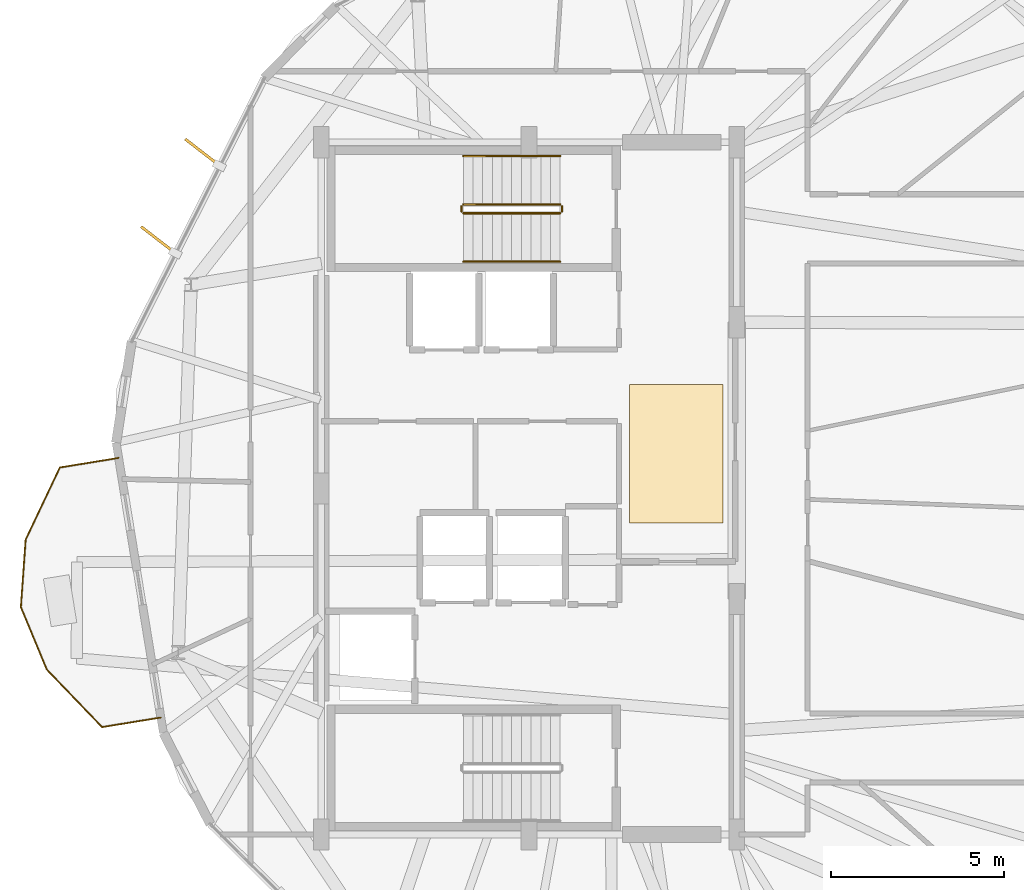
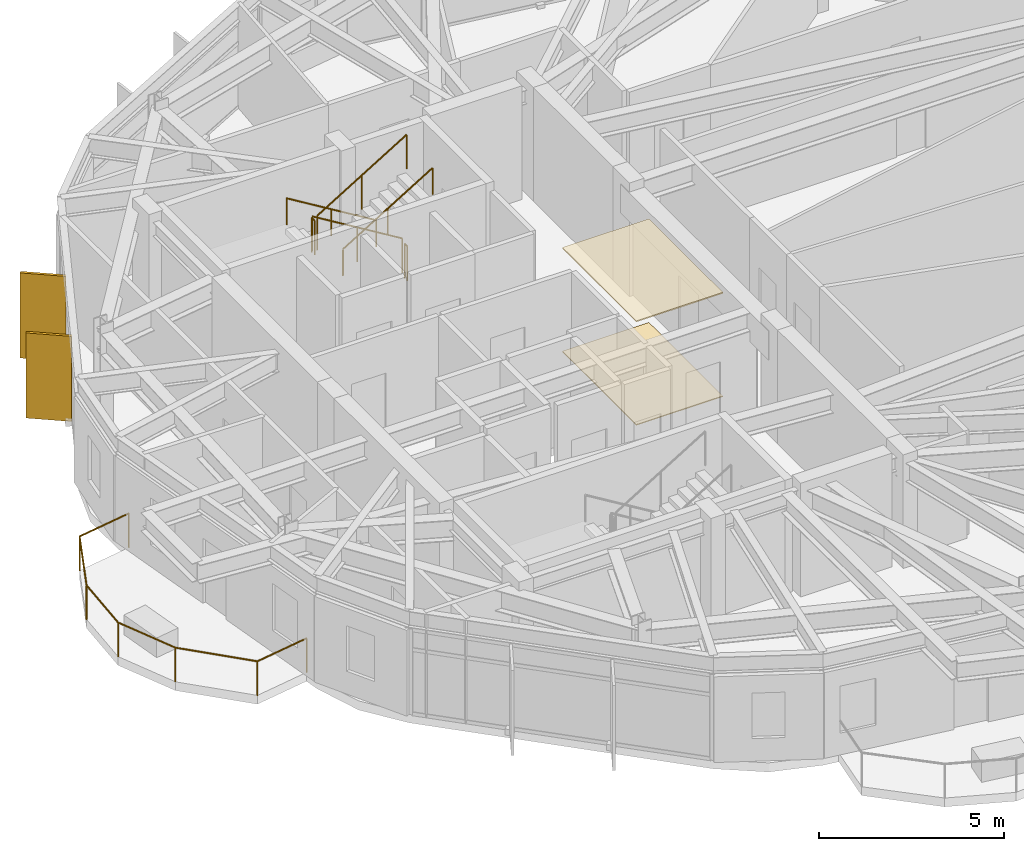
# One storey, part 21 of 22: 7 railings, 2 coverings, 2 shading devices.
"""IFC4 building model written with IfcOpenShell, lengths in metres."""

from ifc_helpers import new_model, si_unit, direction, frame, origin, origin_2d, place, context, subcontext, project, spatial, polyline, rectangle, circle, outline, extrude, material, layer, layer_set, type_object, element, save


model = new_model("IFC4")

# Units and contexts
model_context = context("Model", 3, precision=1e-05, world=origin(), true_north=direction((0.0, 1.0)))
body_context = subcontext(model_context, "Body", "Model", "MODEL_VIEW")
ifc_project = project(units=[si_unit("LENGTHUNIT", "METRE"), si_unit("AREAUNIT", "SQUARE_METRE"), si_unit("VOLUMEUNIT", "CUBIC_METRE"), si_unit("PLANEANGLEUNIT", "RADIAN"), si_unit("MASSUNIT", "GRAM", prefix="KILO")], contexts=[model_context])

# Site, building, storey
site_placement = place(None, origin())
site = spatial("IfcSite", under=ifc_project, at=site_placement, CompositionType="ELEMENT")
building_placement = place(site_placement, origin())
building = spatial("IfcBuilding", under=site, at=building_placement, Name="Soratama Intermodal Tower", CompositionType="ELEMENT")
storey_placement = place(building_placement, frame((0.0, 0.0, 265.0)))
storey = spatial("IfcBuildingStorey", under=building, at=storey_placement, Name="L67", CompositionType="ELEMENT", Elevation=265.0)

# Coverings
ifc_material_1 = material(Name="Perforated mineral acoustic ceiling", Category="concrete")
ifc_layer_1 = layer(ifc_material_1, 0.0400390625)
ifc_layer_set_1 = layer_set([ifc_layer_1], Name="Perforated mineral acoustic ceiling")
covering_type_1 = type_object("IfcCoveringType", Name="CV-CEIL-ACOUSTIC", PredefinedType="CEILING", material=ifc_layer_set_1)
covering_1_placement = place(storey_placement, frame((0.0, 0.0, 3.409912109375)))
element("IfcCovering", 1, at=covering_1_placement, inside=storey, type_object=covering_type_1, Name="L67 Acoustic Ceiling", PredefinedType="CEILING", context=body_context, shape_type="SweptSolid", body=[
    extrude(outline(polyline([(41.5, 24.0), (44.199951171875, 24.0), (44.199951171875, 28.0), (41.5, 28.0), (41.5, 24.0)])), origin(), (0.0, 0.0, 1.0), 0.0400390625),
])
ifc_material_2 = material(Name="Polished Andean stone terrazzo flooring", Category="masonry")
ifc_layer_2 = layer(ifc_material_2, 0.030029296875)
ifc_layer_set_2 = layer_set([ifc_layer_2], Name="Polished Andean stone terrazzo flooring")
covering_type_2 = type_object("IfcCoveringType", Name="CV-FLOR-TERRAZZO", PredefinedType="FLOORING", material=ifc_layer_set_2)
covering_2_placement = place(storey_placement, origin())
element("IfcCovering", 2, at=covering_2_placement, inside=storey, type_object=covering_type_2, Name="L67 Lobby Terrazzo Flooring", PredefinedType="FLOORING", context=body_context, shape_type="SweptSolid", body=[
    extrude(outline(polyline([(41.5, 24.0), (44.199951171875, 24.0), (44.199951171875, 28.0), (41.5, 28.0), (41.5, 24.0)])), origin(), (0.0, 0.0, 1.0), 0.030029296875),
])

# Railings
ifc_material_3 = material(Name="Laminated glass and stainless steel balustrade", Category="steel")
railing_type_1 = type_object("IfcRailingType", Name="RL-BAL-1150", PredefinedType="BALUSTRADE", material=ifc_material_3)
railing_1_placement = place(storey_placement, frame((27.962158203125, 18.37841796875, 0.0)))
element("IfcRailing", 3, at=railing_1_placement, inside=storey, type_object=railing_type_1, Name="L67 Balcony Balustrade 2", PredefinedType="BALUSTRADE", context=body_context, shape_type="SweptSolid", body=[
    extrude(circle(Radius=0.02392578125, at=origin_2d()), frame((0.0, 0.0, 1.1259765625), z_axis=(-0.987027157289, -0.160553389169, 0.0), x_axis=(0.160553389169, -0.987027157289, 0.0)), (0.0, 0.0, 1.0), 1.7197265625),
    extrude(circle(Radius=0.02392578125, at=origin_2d()), frame((-1.697509765625, -0.276123046875, 1.1259765625), z_axis=(-0.692738743786, 0.72118862502, 0.0), x_axis=(-0.72118862502, -0.692738743786, 0.0)), (0.0, 0.0, 1.0), 2.308349609375),
    extrude(circle(Radius=0.02392578125, at=origin_2d()), frame((-3.296630859375, 1.388671875, 1.1259765625), z_axis=(-0.383283073982, 0.923630924774, 0.0), x_axis=(-0.923630924774, -0.383283073982, 0.0)), (0.0, 0.0, 1.0), 1.952392578125),
    extrude(circle(Radius=0.02392578125, at=origin_2d()), frame((-4.044921875, 3.19189453125, 1.1259765625), z_axis=(0.070784885637, 0.997491603957, 0.0), x_axis=(-0.997491603957, 0.070784885637, 0.0)), (0.0, 0.0, 1.0), 1.9521484375),
    extrude(circle(Radius=0.02392578125, at=origin_2d()), frame((-3.90673828125, 5.13916015625, 1.1259765625), z_axis=(0.428331828333, 0.903621516365, 0.0), x_axis=(-0.903621516365, 0.428331828333, 0.0)), (0.0, 0.0, 1.0), 2.308349609375),
    extrude(circle(Radius=0.02392578125, at=origin_2d()), frame((-2.91796875, 7.22509765625, 1.1259765625), z_axis=(0.987030815802, 0.160530896271, 0.0), x_axis=(-0.160530896271, 0.987030815802, 0.0)), (0.0, 0.0, 1.0), 1.719970703125),
    extrude(circle(Radius=0.02099609375, at=origin_2d()), origin(), (0.0, 0.0, 1.0), 1.101806640625),
    extrude(circle(Radius=0.02099609375, at=origin_2d()), frame((-1.697509765625, -0.276123046875, 0.0)), (0.0, 0.0, 1.0), 1.101806640625),
    extrude(circle(Radius=0.02099609375, at=origin_2d()), frame((-3.296630859375, 1.388671875, 0.0)), (0.0, 0.0, 1.0), 1.101806640625),
    extrude(circle(Radius=0.02099609375, at=origin_2d()), frame((-4.044921875, 3.19189453125, 0.0)), (0.0, 0.0, 1.0), 1.101806640625),
    extrude(circle(Radius=0.02099609375, at=origin_2d()), frame((-3.90673828125, 5.13916015625, 0.0)), (0.0, 0.0, 1.0), 1.101806640625),
    extrude(circle(Radius=0.02099609375, at=origin_2d()), frame((-2.91796875, 7.22509765625, 0.0)), (0.0, 0.0, 1.0), 1.101806640625),
    extrude(circle(Radius=0.02099609375, at=origin_2d()), frame((-1.22021484375, 7.501220703125, 0.0)), (0.0, 0.0, 1.0), 1.101806640625),
])
ifc_material_4 = material(Name="Painted steel stair guardrail", Category="steel")
railing_type_2 = type_object("IfcRailingType", Name="RL-STAIR-GUARD", PredefinedType="GUARDRAIL", material=ifc_material_4)
railing_2_placement = place(storey_placement, frame((39.5, 33.199951171875, 0.17041015625)))
element("IfcRailing", 4, at=railing_2_placement, inside=storey, type_object=railing_type_2, Name="L67 ST-2 stair guard 1", PredefinedType="GUARDRAIL", context=body_context, shape_type="SweptSolid", body=[
    extrude(circle(Radius=0.02392578125, at=origin_2d()), frame((0.0, 0.0, 1.1259765625), z_axis=(-0.854169791009, 0.0, 0.51999420009), x_axis=(0.0, -1.0, 0.0)), (0.0, 0.0, 1.0), 3.278076171875),
    extrude(circle(Radius=0.02099609375, at=origin_2d()), origin(), (0.0, 0.0, 1.0), 1.101806640625),
    extrude(circle(Radius=0.02099609375, at=origin_2d()), frame((-1.39990234375, 0.0, 0.852294921875)), (0.0, 0.0, 1.0), 1.101806640625),
    extrude(circle(Radius=0.02099609375, at=origin_2d()), frame((-2.800048828125, 0.0, 1.70458984375)), (0.0, 0.0, 1.0), 1.101806640625),
])
railing_3_placement = place(storey_placement, frame((36.64990234375, 33.14990234375, 1.875)))
element("IfcRailing", 5, at=railing_3_placement, inside=storey, type_object=railing_type_2, Name="L67 ST-2 stair guard 2", PredefinedType="GUARDRAIL", context=body_context, shape_type="SweptSolid", body=[
    extrude(circle(Radius=0.02392578125, at=origin_2d()), frame((0.0, 0.0, 1.1259765625), z_axis=(0.0, -1.0, 0.0), x_axis=(1.0, 0.0, 0.0)), (0.0, 0.0, 1.0), 0.14990234375),
    extrude(circle(Radius=0.02099609375, at=origin_2d()), origin(), (0.0, 0.0, 1.0), 1.101806640625),
    extrude(circle(Radius=0.02099609375, at=origin_2d()), frame((0.0, -0.14990234375, 0.0)), (0.0, 0.0, 1.0), 1.101806640625),
])
railing_4_placement = place(storey_placement, frame((36.699951171875, 32.949951171875, 2.04541015625)))
element("IfcRailing", 6, at=railing_4_placement, inside=storey, type_object=railing_type_2, Name="L67 ST-2 stair guard 3", PredefinedType="GUARDRAIL", context=body_context, shape_type="SweptSolid", body=[
    extrude(circle(Radius=0.02392578125, at=origin_2d()), frame((0.0, 0.0, 1.1259765625), z_axis=(0.854169791009, 0.0, 0.51999420009), x_axis=(0.0, 1.0, 0.0)), (0.0, 0.0, 1.0), 3.278076171875),
    extrude(circle(Radius=0.02099609375, at=origin_2d()), origin(), (0.0, 0.0, 1.0), 1.101806640625),
    extrude(circle(Radius=0.02099609375, at=origin_2d()), frame((1.39990234375, 0.0, 0.852294921875)), (0.0, 0.0, 1.0), 1.101806640625),
    extrude(circle(Radius=0.02099609375, at=origin_2d()), frame((2.800048828125, 0.0, 1.70458984375)), (0.0, 0.0, 1.0), 1.101806640625),
])
railing_5_placement = place(storey_placement, frame((39.550048828125, 33.14990234375, 0.0)))
element("IfcRailing", 7, at=railing_5_placement, inside=storey, type_object=railing_type_2, Name="L67 ST-2 stair guard 4", PredefinedType="GUARDRAIL", context=body_context, shape_type="SweptSolid", body=[
    extrude(circle(Radius=0.02392578125, at=origin_2d()), frame((0.0, 0.0, 1.1259765625), z_axis=(0.0, -1.0, 0.0), x_axis=(1.0, 0.0, 0.0)), (0.0, 0.0, 1.0), 0.14990234375),
    extrude(circle(Radius=0.02099609375, at=origin_2d()), origin(), (0.0, 0.0, 1.0), 1.101806640625),
    extrude(circle(Radius=0.02099609375, at=origin_2d()), frame((0.0, -0.14990234375, 0.0)), (0.0, 0.0, 1.0), 1.101806640625),
])
ifc_material_5 = material(Name="Brushed stainless steel handrail", Category="steel")
railing_type_3 = type_object("IfcRailingType", Name="RL-STAIR-HAND", PredefinedType="HANDRAIL", material=ifc_material_5)
railing_6_placement = place(storey_placement, frame((39.5, 34.60009765625, 0.17041015625)))
element("IfcRailing", 8, at=railing_6_placement, inside=storey, type_object=railing_type_3, Name="L67 ST-2 stair handrail 1", PredefinedType="HANDRAIL", context=body_context, shape_type="SweptSolid", body=[
    extrude(circle(Radius=0.02392578125, at=origin_2d()), frame((0.0, 0.0, 0.8759765625), z_axis=(-0.854169791009, 0.0, 0.51999420009), x_axis=(0.0, -1.0, 0.0)), (0.0, 0.0, 1.0), 3.278076171875),
    extrude(circle(Radius=0.02099609375, at=origin_2d()), origin(), (0.0, 0.0, 1.0), 0.851806640625),
    extrude(circle(Radius=0.02099609375, at=origin_2d()), frame((-1.39990234375, 0.0, 0.852294921875)), (0.0, 0.0, 1.0), 0.851806640625),
    extrude(circle(Radius=0.02099609375, at=origin_2d()), frame((-2.800048828125, 0.0, 1.70458984375)), (0.0, 0.0, 1.0), 0.851806640625),
])
railing_7_placement = place(storey_placement, frame((36.699951171875, 31.550048828125, 2.04541015625)))
element("IfcRailing", 9, at=railing_7_placement, inside=storey, type_object=railing_type_3, Name="L67 ST-2 stair handrail 2", PredefinedType="HANDRAIL", context=body_context, shape_type="SweptSolid", body=[
    extrude(circle(Radius=0.02392578125, at=origin_2d()), frame((0.0, 0.0, 0.8759765625), z_axis=(0.854169791009, 0.0, 0.51999420009), x_axis=(0.0, 1.0, 0.0)), (0.0, 0.0, 1.0), 3.278076171875),
    extrude(circle(Radius=0.02099609375, at=origin_2d()), origin(), (0.0, 0.0, 1.0), 0.851806640625),
    extrude(circle(Radius=0.02099609375, at=origin_2d()), frame((1.39990234375, 0.0, 0.852294921875)), (0.0, 0.0, 1.0), 0.851806640625),
    extrude(circle(Radius=0.02099609375, at=origin_2d()), frame((2.800048828125, 0.0, 1.70458984375)), (0.0, 0.0, 1.0), 0.851806640625),
])

# Shading devices
ifc_material_6 = material(Name="Champagne anodised aluminium solar fin", Category="aluminium")
ifc_layer_3 = layer(ifc_material_6, 0.080078125)
ifc_layer_set_3 = layer_set([ifc_layer_3], Name="Champagne anodised aluminium solar fin")
shading_device_type = type_object("IfcShadingDeviceType", Name="SH-FIN-1250", PredefinedType="USERDEFINED", material=ifc_layer_set_3)
for number, where, z_axis, x_axis, name in (
    (10, (29.162353515625, 34.70947265625, 0.02001953125), (0.0, 0.0, 1.0), (-0.791650266529, 0.610974512974, 0.0), "L67 Solar Fin F03-1"),
    (11, (27.88671875, 32.1796875, 0.02001953125), (0.0, 0.0, 1.0), (-0.791650266529, 0.610974512974, 0.0), "L67 Solar Fin F03-2"),
):
    element("IfcShadingDevice", number, at=place(storey_placement, frame(where, z_axis=z_axis, x_axis=x_axis)), inside=storey, type_object=shading_device_type, Name=name, ObjectType="FIN", PredefinedType="USERDEFINED", context=body_context, shape_type="SweptSolid", body=[
        extrude(rectangle(XDim=1.25, YDim=0.080078125, at=origin_2d()), origin(), (0.0, 0.0, 1.0), 2.80908203125),
    ])

save(model, "model.ifc")
